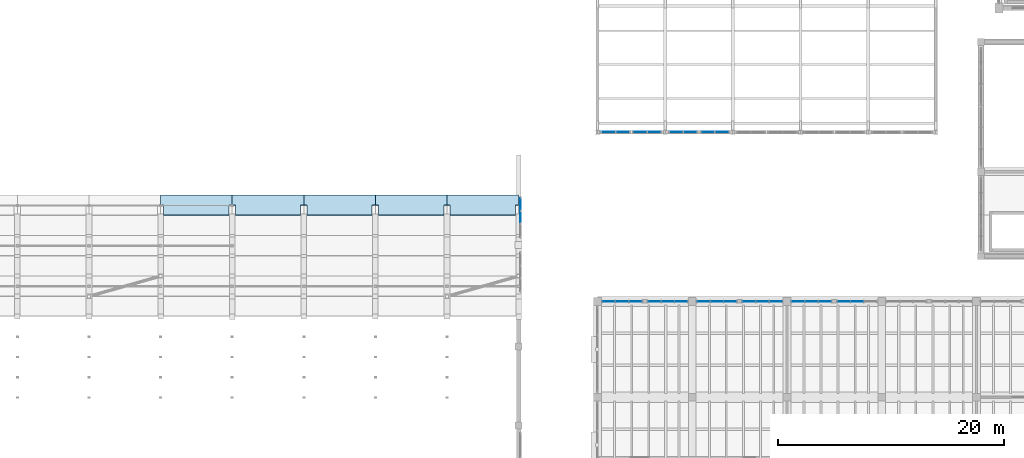
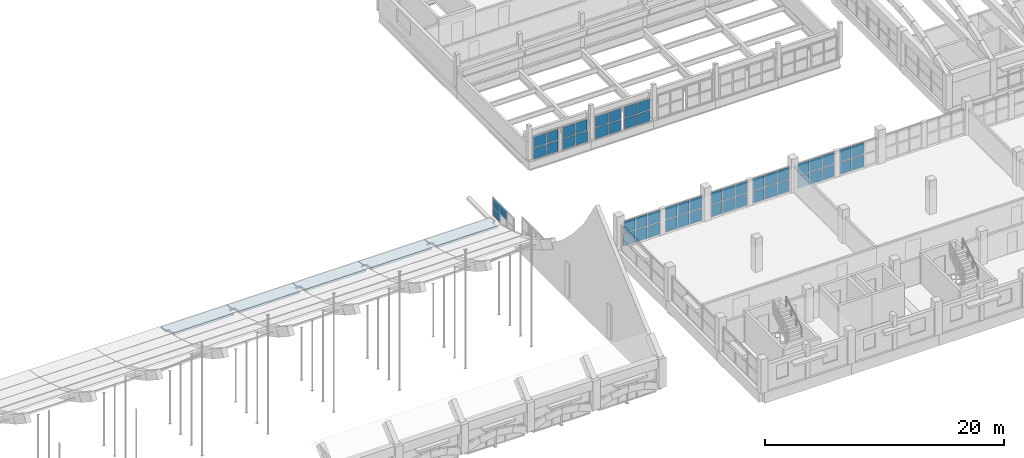
# One storey, part 52 of 77: 53 plates, 5 slabs, 11 elements without a shape of their own.
"""IFC4 building model written with IfcOpenShell, lengths in metres."""

from ifc_helpers import new_model, si_unit, direction, frame, origin, origin_2d, place, context, subcontext, project, spatial, polyline, rectangle, outline, extrude, material, layer, layer_set, type_object, element, aggregate, save


model = new_model("IFC4")

# Units and contexts
model_context = context("Model", 3, precision=1e-05, world=origin(), true_north=direction((0.0, 1.0)))
body_context = subcontext(model_context, "Body", "Model", "MODEL_VIEW")
ifc_project = project(units=[si_unit("LENGTHUNIT", "METRE"), si_unit("AREAUNIT", "SQUARE_METRE"), si_unit("VOLUMEUNIT", "CUBIC_METRE"), si_unit("PLANEANGLEUNIT", "RADIAN"), si_unit("MASSUNIT", "GRAM", prefix="KILO")], contexts=[model_context])

# Site, building, storey
site_placement = place(None, origin())
site = spatial("IfcSite", under=ifc_project, at=site_placement, CompositionType="ELEMENT")
building_placement = place(site_placement, origin())
building = spatial("IfcBuilding", under=site, at=building_placement, Name="Trellovar Central Fire Station", CompositionType="ELEMENT")
storey_placement = place(building_placement, frame((0.0, 0.0, 5.85009765625)))
storey = spatial("IfcBuildingStorey", under=building, at=storey_placement, Name="L02", CompositionType="ELEMENT", Elevation=5.85009765625)

# Curtain wall, plate
ifc_material_1 = material(Name="Thermally broken bronze anodized aluminum", Category="aluminium")
ifc_layer_1 = layer(ifc_material_1, 0.159912109375)
ifc_layer_set_1 = layer_set([ifc_layer_1], Name="Thermally broken bronze anodized aluminum")
curtain_wall_type_1 = type_object("IfcCurtainWallType", Name="CW-09", PredefinedType="NOTDEFINED", material=ifc_layer_set_1)
curtain_wall_1_placement = place(storey_placement, origin())
curtain_wall_1 = element("IfcCurtainWall", 1, at=curtain_wall_1_placement, inside=storey, type_object=curtain_wall_type_1, Name="L02 curtain wall CW-9", PredefinedType="NOTDEFINED")
ifc_material_2 = material(Name="Double low-E solar control insulated glazing", Category="glass")
ifc_layer_2 = layer(ifc_material_2, 0.031982421875)
ifc_layer_set_2 = layer_set([ifc_layer_2], Name="Double low-E solar control insulated glazing")
plate_type_1 = type_object("IfcPlateType", Name="CWP-GL1", PredefinedType="CURTAIN_PANEL", material=ifc_layer_set_2)
plate_1_placement = place(storey_placement, frame((112.908203125, 33.0, 1.31494140625), z_axis=(0.0, 0.0, 1.0), x_axis=(-1.0, 0.0, 0.0)))
plate_1 = element("IfcPlate", 2, at=plate_1_placement, type_object=plate_type_1, Name="CW3-L02-0059 panel 1-2", PredefinedType="CURTAIN_PANEL", context=body_context, shape_type="SweptSolid", body=[
    extrude(rectangle(XDim=1.103271484375, YDim=0.031982421875, at=origin_2d()), origin(), (0.0, 0.0, 1.0), 1.195068359375),
])

curtain_wall_2_placement = place(storey_placement, origin())
curtain_wall_2 = element("IfcCurtainWall", 3, at=curtain_wall_2_placement, inside=storey, type_object=curtain_wall_type_1, Name="L02 curtain wall CW-9", PredefinedType="NOTDEFINED")
plate_2_placement = place(storey_placement, frame((118.941650390625, 33.0, 1.31494140625), z_axis=(0.0, 0.0, 1.0), x_axis=(-1.0, 0.0, 0.0)))
plate_2 = element("IfcPlate", 4, at=plate_2_placement, type_object=plate_type_1, Name="CW3-L02-0061 panel 3-2", PredefinedType="CURTAIN_PANEL", context=body_context, shape_type="SweptSolid", body=[
    extrude(rectangle(XDim=1.103271484375, YDim=0.031982421875, at=origin_2d()), origin(), (0.0, 0.0, 1.0), 1.195068359375),
])

ifc_material_3 = material(Name="Thermally broken bronze anodized aluminum", Category="aluminium")
ifc_layer_3 = layer(ifc_material_3, 0.159912109375)
ifc_layer_set_3 = layer_set([ifc_layer_3], Name="Thermally broken bronze anodized aluminum")
curtain_wall_type_2 = type_object("IfcCurtainWallType", Name="CW-10", PredefinedType="NOTDEFINED", material=ifc_layer_set_3)
curtain_wall_3_placement = place(storey_placement, origin())
curtain_wall_3 = element("IfcCurtainWall", 5, at=curtain_wall_3_placement, inside=storey, type_object=curtain_wall_type_2, Name="L02 curtain wall CW-10", PredefinedType="NOTDEFINED")
plate_3_placement = place(storey_placement, frame((116.074951171875, 33.0, 1.31494140625), z_axis=(0.0, 0.0, 1.0), x_axis=(-1.0, 0.0, 0.0)))
plate_3 = element("IfcPlate", 6, at=plate_3_placement, type_object=plate_type_1, Name="CW3-L02-0062 panel 2-2", PredefinedType="CURTAIN_PANEL", context=body_context, shape_type="SweptSolid", body=[
    extrude(rectangle(XDim=1.103515625, YDim=0.031982421875, at=origin_2d()), origin(), (0.0, 0.0, 1.0), 1.195068359375),
])

# Plate
ifc_material_4 = material(Name="Double low-E solar control insulated glazing", Category="glass")
ifc_layer_4 = layer(ifc_material_4, 0.035888671875)
ifc_layer_set_4 = layer_set([ifc_layer_4], Name="Double low-E solar control insulated glazing")
plate_type_2 = type_object("IfcPlateType", Name="CWP-GL2", PredefinedType="CURTAIN_PANEL", material=ifc_layer_set_4)
plate_4_placement = place(storey_placement, frame((111.72509765625, 33.0, 1.31494140625), z_axis=(0.0, 0.0, 1.0), x_axis=(-1.0, 0.0, 0.0)))
plate_4 = element("IfcPlate", 7, at=plate_4_placement, type_object=plate_type_2, Name="CW3-L02-0059 panel 2-2", PredefinedType="CURTAIN_PANEL", context=body_context, shape_type="SweptSolid", body=[
    extrude(rectangle(XDim=1.103515625, YDim=0.035888671875, at=origin_2d()), origin(), (0.0, 0.0, 1.0), 1.195068359375),
])

# Curtain wall, plate
curtain_wall_4_placement = place(storey_placement, origin())
curtain_wall_4 = element("IfcCurtainWall", 8, at=curtain_wall_4_placement, inside=storey, type_object=curtain_wall_type_2, Name="L02 curtain wall CW-10", PredefinedType="NOTDEFINED")
plate_5_placement = place(storey_placement, frame((108.8583984375, 33.0, 1.31494140625), z_axis=(0.0, 0.0, 1.0), x_axis=(-1.0, 0.0, 0.0)))
plate_5 = element("IfcPlate", 9, at=plate_5_placement, type_object=plate_type_2, Name="CW3-L02-0060 panel 1-2", PredefinedType="CURTAIN_PANEL", context=body_context, shape_type="SweptSolid", body=[
    extrude(rectangle(XDim=1.103271484375, YDim=0.035888671875, at=origin_2d()), origin(), (0.0, 0.0, 1.0), 1.195068359375),
])

# Plate
plate_6_placement = place(storey_placement, frame((114.8916015625, 33.0, 1.31494140625), z_axis=(0.0, 0.0, 1.0), x_axis=(-1.0, 0.0, 0.0)))
plate_6 = element("IfcPlate", 10, at=plate_6_placement, type_object=plate_type_2, Name="CW3-L02-0062 panel 3-2", PredefinedType="CURTAIN_PANEL", context=body_context, shape_type="SweptSolid", body=[
    extrude(rectangle(XDim=1.103271484375, YDim=0.035888671875, at=origin_2d()), origin(), (0.0, 0.0, 1.0), 1.195068359375),
])

# Curtain wall, plate
curtain_wall_5_placement = place(storey_placement, origin())
curtain_wall_5 = element("IfcCurtainWall", 11, at=curtain_wall_5_placement, inside=storey, type_object=curtain_wall_type_1, Name="L02 curtain wall CW-9", PredefinedType="NOTDEFINED")
plate_7_placement = place(storey_placement, frame((128.52490234375, 33.0, 1.31494140625), z_axis=(0.0, 0.0, 1.0), x_axis=(-1.0, 0.0, 0.0)))
plate_7 = element("IfcPlate", 12, at=plate_7_placement, type_object=plate_type_2, Name="CW3-L02-0063 panel 2-2", PredefinedType="CURTAIN_PANEL", context=body_context, shape_type="SweptSolid", body=[
    extrude(rectangle(XDim=1.103515625, YDim=0.035888671875, at=origin_2d()), origin(), (0.0, 0.0, 1.0), 1.195068359375),
])

curtain_wall_6_placement = place(storey_placement, origin())
curtain_wall_6 = element("IfcCurtainWall", 13, at=curtain_wall_6_placement, inside=storey, type_object=curtain_wall_type_2, Name="L02 curtain wall CW-10", PredefinedType="NOTDEFINED")
plate_8_placement = place(storey_placement, frame((125.658203125, 33.0, 1.31494140625), z_axis=(0.0, 0.0, 1.0), x_axis=(-1.0, 0.0, 0.0)))
plate_8 = element("IfcPlate", 14, at=plate_8_placement, type_object=plate_type_2, Name="CW3-L02-0064 panel 1-2", PredefinedType="CURTAIN_PANEL", context=body_context, shape_type="SweptSolid", body=[
    extrude(rectangle(XDim=1.103271484375, YDim=0.035888671875, at=origin_2d()), origin(), (0.0, 0.0, 1.0), 1.195068359375),
])

ifc_material_5 = material(Name="Thermally broken bronze anodized aluminum", Category="aluminium")
ifc_layer_5 = layer(ifc_material_5, 0.159912109375)
ifc_layer_set_5 = layer_set([ifc_layer_5], Name="Thermally broken bronze anodized aluminum")
curtain_wall_type_3 = type_object("IfcCurtainWallType", Name="CW-08", PredefinedType="NOTDEFINED", material=ifc_layer_set_5)
curtain_wall_7_placement = place(storey_placement, origin())
curtain_wall_7 = element("IfcCurtainWall", 15, at=curtain_wall_7_placement, inside=storey, type_object=curtain_wall_type_3, Name="V6 workshop upper clerestory 1A", PredefinedType="NOTDEFINED")
plate_9_placement = place(storey_placement, frame((106.47509765625, 48.0, 0.96484375), z_axis=(0.0, 0.0, 1.0), x_axis=(1.0, 0.0, 0.0)))
plate_9 = element("IfcPlate", 16, at=plate_9_placement, type_object=plate_type_2, Name="CW3-L02-0104 panel 1-2", PredefinedType="CURTAIN_PANEL", context=body_context, shape_type="SweptSolid", body=[
    extrude(rectangle(XDim=1.169921875, YDim=0.035888671875, at=origin_2d()), origin(), (0.0, 0.0, 1.0), 1.094970703125),
])

curtain_wall_8_placement = place(storey_placement, origin())
curtain_wall_8 = element("IfcCurtainWall", 17, at=curtain_wall_8_placement, inside=storey, type_object=curtain_wall_type_3, Name="V6 workshop upper clerestory 2A", PredefinedType="NOTDEFINED")
plate_10_placement = place(storey_placement, frame((112.47509765625, 48.0, 0.96484375), z_axis=(0.0, 0.0, 1.0), x_axis=(1.0, 0.0, 0.0)))
plate_10 = element("IfcPlate", 18, at=plate_10_placement, type_object=plate_type_2, Name="CW3-L02-0112 panel 1-2", PredefinedType="CURTAIN_PANEL", context=body_context, shape_type="SweptSolid", body=[
    extrude(rectangle(XDim=1.169921875, YDim=0.035888671875, at=origin_2d()), origin(), (0.0, 0.0, 1.0), 1.094970703125),
])

# Curtain wall, plates
ifc_material_6 = material(Name="Thermally broken bronze anodized aluminum", Category="aluminium")
ifc_layer_6 = layer(ifc_material_6, 0.159912109375)
ifc_layer_set_6 = layer_set([ifc_layer_6], Name="Thermally broken bronze anodized aluminum")
curtain_wall_type_4 = type_object("IfcCurtainWallType", Name="CW-07", PredefinedType="NOTDEFINED", material=ifc_layer_set_6)
curtain_wall_9_placement = place(storey_placement, origin())
curtain_wall_9 = element("IfcCurtainWall", 19, at=curtain_wall_9_placement, inside=storey, type_object=curtain_wall_type_4, Name="V1 E ski-jump gable clerestory 5", PredefinedType="NOTDEFINED")
ifc_material_7 = material(Name="Double low-E solar control insulated glazing", Category="glass")
ifc_layer_7 = layer(ifc_material_7, 0.033935546875)
ifc_layer_set_7 = layer_set([ifc_layer_7], Name="Double low-E solar control insulated glazing")
plate_type_3 = type_object("IfcPlateType", Name="CWP-GL3", PredefinedType="CURTAIN_PANEL", material=ifc_layer_set_7)
plate_11_placement = place(storey_placement, frame((98.679931640625, 40.449951171875, 1.06494140625), z_axis=(0.0, 0.0, 1.0), x_axis=(0.0, 1.0, 0.0)))
plate_11 = element("IfcPlate", 20, at=plate_11_placement, type_object=plate_type_3, Name="CW3-L02-0020 panel 2-2", PredefinedType="CURTAIN_PANEL", context=body_context, shape_type="SweptSolid", body=[
    extrude(rectangle(XDim=1.086669921875, YDim=0.033935546875, at=origin_2d()), origin(), (0.0, 0.0, 1.0), 0.844970703125),
])
plate_12_placement = place(storey_placement, frame((98.679931640625, 41.61669921875, 0.14013671875), z_axis=(0.0, 0.0, 1.0), x_axis=(0.0, 1.0, 0.0)))
plate_12 = element("IfcPlate", 21, at=plate_12_placement, type_object=plate_type_3, Name="CW3-L02-0020 panel 3-1", PredefinedType="CURTAIN_PANEL", context=body_context, shape_type="SweptSolid", body=[
    extrude(rectangle(XDim=1.086669921875, YDim=0.033935546875, at=origin_2d()), origin(), (0.0, 0.0, 1.0), 0.844970703125),
])

# Plate
plate_13_placement = place(storey_placement, frame((110.541748046875, 33.0, 1.31494140625), z_axis=(0.0, 0.0, 1.0), x_axis=(-1.0, 0.0, 0.0)))
plate_13 = element("IfcPlate", 22, at=plate_13_placement, type_object=plate_type_3, Name="CW3-L02-0059 panel 3-2", PredefinedType="CURTAIN_PANEL", context=body_context, shape_type="SweptSolid", body=[
    extrude(rectangle(XDim=1.103271484375, YDim=0.033935546875, at=origin_2d()), origin(), (0.0, 0.0, 1.0), 1.195068359375),
])

plate_14_placement = place(storey_placement, frame((107.675048828125, 33.0, 1.31494140625), z_axis=(0.0, 0.0, 1.0), x_axis=(-1.0, 0.0, 0.0)))
plate_14 = element("IfcPlate", 23, at=plate_14_placement, type_object=plate_type_3, Name="CW3-L02-0060 panel 2-2", PredefinedType="CURTAIN_PANEL", context=body_context, shape_type="SweptSolid", body=[
    extrude(rectangle(XDim=1.103515625, YDim=0.033935546875, at=origin_2d()), origin(), (0.0, 0.0, 1.0), 1.195068359375),
])

plate_15_placement = place(storey_placement, frame((121.308349609375, 33.0, 1.31494140625), z_axis=(0.0, 0.0, 1.0), x_axis=(-1.0, 0.0, 0.0)))
plate_15 = element("IfcPlate", 24, at=plate_15_placement, type_object=plate_type_3, Name="CW3-L02-0061 panel 1-2", PredefinedType="CURTAIN_PANEL", context=body_context, shape_type="SweptSolid", body=[
    extrude(rectangle(XDim=1.103271484375, YDim=0.033935546875, at=origin_2d()), origin(), (0.0, 0.0, 1.0), 1.195068359375),
])

plate_16_placement = place(storey_placement, frame((127.341552734375, 33.0, 1.31494140625), z_axis=(0.0, 0.0, 1.0), x_axis=(-1.0, 0.0, 0.0)))
plate_16 = element("IfcPlate", 25, at=plate_16_placement, type_object=plate_type_3, Name="CW3-L02-0063 panel 3-2", PredefinedType="CURTAIN_PANEL", context=body_context, shape_type="SweptSolid", body=[
    extrude(rectangle(XDim=1.103271484375, YDim=0.033935546875, at=origin_2d()), origin(), (0.0, 0.0, 1.0), 1.195068359375),
])

plate_17_placement = place(storey_placement, frame((124.47509765625, 33.0, 1.31494140625), z_axis=(0.0, 0.0, 1.0), x_axis=(-1.0, 0.0, 0.0)))
plate_17 = element("IfcPlate", 26, at=plate_17_placement, type_object=plate_type_3, Name="CW3-L02-0064 panel 2-2", PredefinedType="CURTAIN_PANEL", context=body_context, shape_type="SweptSolid", body=[
    extrude(rectangle(XDim=1.103515625, YDim=0.033935546875, at=origin_2d()), origin(), (0.0, 0.0, 1.0), 1.195068359375),
])

plate_18_placement = place(storey_placement, frame((107.72509765625, 48.0, 0.96484375), z_axis=(0.0, 0.0, 1.0), x_axis=(1.0, 0.0, 0.0)))
plate_18 = element("IfcPlate", 27, at=plate_18_placement, type_object=plate_type_3, Name="CW3-L02-0104 panel 2-2", PredefinedType="CURTAIN_PANEL", context=body_context, shape_type="SweptSolid", body=[
    extrude(rectangle(XDim=1.169921875, YDim=0.033935546875, at=origin_2d()), origin(), (0.0, 0.0, 1.0), 1.094970703125),
])

# Curtain wall, plate
curtain_wall_10_placement = place(storey_placement, origin())
curtain_wall_10 = element("IfcCurtainWall", 28, at=curtain_wall_10_placement, inside=storey, type_object=curtain_wall_type_3, Name="V6 workshop upper clerestory 1B", PredefinedType="NOTDEFINED")
plate_19_placement = place(storey_placement, frame((109.27490234375, 48.0, 0.96484375), z_axis=(0.0, 0.0, 1.0), x_axis=(1.0, 0.0, 0.0)))
plate_19 = element("IfcPlate", 29, at=plate_19_placement, type_object=plate_type_3, Name="CW3-L02-0105 panel 1-2", PredefinedType="CURTAIN_PANEL", context=body_context, shape_type="SweptSolid", body=[
    extrude(rectangle(XDim=1.169921875, YDim=0.033935546875, at=origin_2d()), origin(), (0.0, 0.0, 1.0), 1.094970703125),
])

# Plate
plate_20_placement = place(storey_placement, frame((113.72509765625, 48.0, 0.96484375), z_axis=(0.0, 0.0, 1.0), x_axis=(1.0, 0.0, 0.0)))
plate_20 = element("IfcPlate", 30, at=plate_20_placement, type_object=plate_type_3, Name="CW3-L02-0112 panel 2-2", PredefinedType="CURTAIN_PANEL", context=body_context, shape_type="SweptSolid", body=[
    extrude(rectangle(XDim=1.169921875, YDim=0.033935546875, at=origin_2d()), origin(), (0.0, 0.0, 1.0), 1.094970703125),
])

# Curtain wall, plate
curtain_wall_11_placement = place(storey_placement, origin())
curtain_wall_11 = element("IfcCurtainWall", 31, at=curtain_wall_11_placement, inside=storey, type_object=curtain_wall_type_3, Name="V6 workshop upper clerestory 2B", PredefinedType="NOTDEFINED")
plate_21_placement = place(storey_placement, frame((115.27490234375, 48.0, 0.96484375), z_axis=(0.0, 0.0, 1.0), x_axis=(1.0, 0.0, 0.0)))
plate_21 = element("IfcPlate", 32, at=plate_21_placement, type_object=plate_type_3, Name="CW3-L02-0113 panel 1-2", PredefinedType="CURTAIN_PANEL", context=body_context, shape_type="SweptSolid", body=[
    extrude(rectangle(XDim=1.169921875, YDim=0.033935546875, at=origin_2d()), origin(), (0.0, 0.0, 1.0), 1.094970703125),
])

# Plate
ifc_material_8 = material(Name="Double low-E solar control insulated glazing", Category="glass")
ifc_layer_8 = layer(ifc_material_8, 0.030029296875)
ifc_layer_set_8 = layer_set([ifc_layer_8], Name="Double low-E solar control insulated glazing")
plate_type_4 = type_object("IfcPlateType", Name="CWP-GL4", PredefinedType="CURTAIN_PANEL", material=ifc_layer_set_8)
plate_22_placement = place(storey_placement, frame((98.679931640625, 41.61669921875, 1.06494140625), z_axis=(0.0, 0.0, 1.0), x_axis=(0.0, 1.0, 0.0)))
plate_22 = element("IfcPlate", 33, at=plate_22_placement, type_object=plate_type_4, Name="CW3-L02-0020 panel 3-2", PredefinedType="CURTAIN_PANEL", context=body_context, shape_type="SweptSolid", body=[
    extrude(rectangle(XDim=1.086669921875, YDim=0.030029296875, at=origin_2d()), origin(), (0.0, 0.0, 1.0), 0.844970703125),
])

aggregate(curtain_wall_9, [plate_11, plate_12, plate_22])

plate_23_placement = place(storey_placement, frame((106.49169921875, 33.0, 1.31494140625), z_axis=(0.0, 0.0, 1.0), x_axis=(-1.0, 0.0, 0.0)))
plate_23 = element("IfcPlate", 34, at=plate_23_placement, type_object=plate_type_4, Name="CW3-L02-0060 panel 3-2", PredefinedType="CURTAIN_PANEL", context=body_context, shape_type="SweptSolid", body=[
    extrude(rectangle(XDim=1.103271484375, YDim=0.030029296875, at=origin_2d()), origin(), (0.0, 0.0, 1.0), 1.195068359375),
])

plate_24_placement = place(storey_placement, frame((120.125, 33.0, 1.31494140625), z_axis=(0.0, 0.0, 1.0), x_axis=(-1.0, 0.0, 0.0)))
plate_24 = element("IfcPlate", 35, at=plate_24_placement, type_object=plate_type_4, Name="CW3-L02-0061 panel 2-2", PredefinedType="CURTAIN_PANEL", context=body_context, shape_type="SweptSolid", body=[
    extrude(rectangle(XDim=1.103515625, YDim=0.030029296875, at=origin_2d()), origin(), (0.0, 0.0, 1.0), 1.195068359375),
])

plate_25_placement = place(storey_placement, frame((117.25830078125, 33.0, 1.31494140625), z_axis=(0.0, 0.0, 1.0), x_axis=(-1.0, 0.0, 0.0)))
plate_25 = element("IfcPlate", 36, at=plate_25_placement, type_object=plate_type_4, Name="CW3-L02-0062 panel 1-2", PredefinedType="CURTAIN_PANEL", context=body_context, shape_type="SweptSolid", body=[
    extrude(rectangle(XDim=1.103271484375, YDim=0.030029296875, at=origin_2d()), origin(), (0.0, 0.0, 1.0), 1.195068359375),
])

plate_26_placement = place(storey_placement, frame((123.291748046875, 33.0, 1.31494140625), z_axis=(0.0, 0.0, 1.0), x_axis=(-1.0, 0.0, 0.0)))
plate_26 = element("IfcPlate", 37, at=plate_26_placement, type_object=plate_type_4, Name="CW3-L02-0064 panel 3-2", PredefinedType="CURTAIN_PANEL", context=body_context, shape_type="SweptSolid", body=[
    extrude(rectangle(XDim=1.103271484375, YDim=0.030029296875, at=origin_2d()), origin(), (0.0, 0.0, 1.0), 1.195068359375),
])

plate_27_placement = place(storey_placement, frame((110.52490234375, 48.0, 0.96484375), z_axis=(0.0, 0.0, 1.0), x_axis=(1.0, 0.0, 0.0)))
plate_27 = element("IfcPlate", 38, at=plate_27_placement, type_object=plate_type_4, Name="CW3-L02-0105 panel 2-2", PredefinedType="CURTAIN_PANEL", context=body_context, shape_type="SweptSolid", body=[
    extrude(rectangle(XDim=1.169921875, YDim=0.030029296875, at=origin_2d()), origin(), (0.0, 0.0, 1.0), 1.094970703125),
])

plate_28_placement = place(storey_placement, frame((116.52490234375, 48.0, 0.96484375), z_axis=(0.0, 0.0, 1.0), x_axis=(1.0, 0.0, 0.0)))
plate_28 = element("IfcPlate", 39, at=plate_28_placement, type_object=plate_type_4, Name="CW3-L02-0113 panel 2-2", PredefinedType="CURTAIN_PANEL", context=body_context, shape_type="SweptSolid", body=[
    extrude(rectangle(XDim=1.169921875, YDim=0.030029296875, at=origin_2d()), origin(), (0.0, 0.0, 1.0), 1.094970703125),
])

ifc_material_9 = material(Name="Glazed ceramic trencadis and terracotta panel", Category="masonry")
ifc_layer_9 = layer(ifc_material_9, 0.048095703125)
ifc_layer_set_9 = layer_set([ifc_layer_9], Name="Glazed ceramic trencadis and terracotta panel")
plate_type_5 = type_object("IfcPlateType", Name="CWP-SP1", PredefinedType="CURTAIN_PANEL", material=ifc_layer_set_9)
plate_29_placement = place(storey_placement, frame((111.72509765625, 33.0, 0.0400390625), z_axis=(0.0, 0.0, 1.0), x_axis=(-1.0, 0.0, 0.0)))
plate_29 = element("IfcPlate", 40, at=plate_29_placement, type_object=plate_type_5, Name="CW3-L02-0059 panel 2-1", PredefinedType="CURTAIN_PANEL", context=body_context, shape_type="SweptSolid", body=[
    extrude(rectangle(XDim=1.103515625, YDim=0.048095703125, at=origin_2d()), origin(), (0.0, 0.0, 1.0), 1.195068359375),
])

plate_30_placement = place(storey_placement, frame((108.8583984375, 33.0, 0.0400390625), z_axis=(0.0, 0.0, 1.0), x_axis=(-1.0, 0.0, 0.0)))
plate_30 = element("IfcPlate", 41, at=plate_30_placement, type_object=plate_type_5, Name="CW3-L02-0060 panel 1-1", PredefinedType="CURTAIN_PANEL", context=body_context, shape_type="SweptSolid", body=[
    extrude(rectangle(XDim=1.103271484375, YDim=0.048095703125, at=origin_2d()), origin(), (0.0, 0.0, 1.0), 1.195068359375),
])

plate_31_placement = place(storey_placement, frame((106.49169921875, 33.0, 0.0400390625), z_axis=(0.0, 0.0, 1.0), x_axis=(-1.0, 0.0, 0.0)))
plate_31 = element("IfcPlate", 42, at=plate_31_placement, type_object=plate_type_5, Name="CW3-L02-0060 panel 3-1", PredefinedType="CURTAIN_PANEL", context=body_context, shape_type="SweptSolid", body=[
    extrude(rectangle(XDim=1.103271484375, YDim=0.048095703125, at=origin_2d()), origin(), (0.0, 0.0, 1.0), 1.195068359375),
])

plate_32_placement = place(storey_placement, frame((120.125, 33.0, 0.0400390625), z_axis=(0.0, 0.0, 1.0), x_axis=(-1.0, 0.0, 0.0)))
plate_32 = element("IfcPlate", 43, at=plate_32_placement, type_object=plate_type_5, Name="CW3-L02-0061 panel 2-1", PredefinedType="CURTAIN_PANEL", context=body_context, shape_type="SweptSolid", body=[
    extrude(rectangle(XDim=1.103515625, YDim=0.048095703125, at=origin_2d()), origin(), (0.0, 0.0, 1.0), 1.195068359375),
])

plate_33_placement = place(storey_placement, frame((117.25830078125, 33.0, 0.0400390625), z_axis=(0.0, 0.0, 1.0), x_axis=(-1.0, 0.0, 0.0)))
plate_33 = element("IfcPlate", 44, at=plate_33_placement, type_object=plate_type_5, Name="CW3-L02-0062 panel 1-1", PredefinedType="CURTAIN_PANEL", context=body_context, shape_type="SweptSolid", body=[
    extrude(rectangle(XDim=1.103271484375, YDim=0.048095703125, at=origin_2d()), origin(), (0.0, 0.0, 1.0), 1.195068359375),
])

plate_34_placement = place(storey_placement, frame((114.8916015625, 33.0, 0.0400390625), z_axis=(0.0, 0.0, 1.0), x_axis=(-1.0, 0.0, 0.0)))
plate_34 = element("IfcPlate", 45, at=plate_34_placement, type_object=plate_type_5, Name="CW3-L02-0062 panel 3-1", PredefinedType="CURTAIN_PANEL", context=body_context, shape_type="SweptSolid", body=[
    extrude(rectangle(XDim=1.103271484375, YDim=0.048095703125, at=origin_2d()), origin(), (0.0, 0.0, 1.0), 1.195068359375),
])

plate_35_placement = place(storey_placement, frame((128.52490234375, 33.0, 0.0400390625), z_axis=(0.0, 0.0, 1.0), x_axis=(-1.0, 0.0, 0.0)))
plate_35 = element("IfcPlate", 46, at=plate_35_placement, type_object=plate_type_5, Name="CW3-L02-0063 panel 2-1", PredefinedType="CURTAIN_PANEL", context=body_context, shape_type="SweptSolid", body=[
    extrude(rectangle(XDim=1.103515625, YDim=0.048095703125, at=origin_2d()), origin(), (0.0, 0.0, 1.0), 1.195068359375),
])

plate_36_placement = place(storey_placement, frame((125.658203125, 33.0, 0.0400390625), z_axis=(0.0, 0.0, 1.0), x_axis=(-1.0, 0.0, 0.0)))
plate_36 = element("IfcPlate", 47, at=plate_36_placement, type_object=plate_type_5, Name="CW3-L02-0064 panel 1-1", PredefinedType="CURTAIN_PANEL", context=body_context, shape_type="SweptSolid", body=[
    extrude(rectangle(XDim=1.103271484375, YDim=0.048095703125, at=origin_2d()), origin(), (0.0, 0.0, 1.0), 1.195068359375),
])

plate_37_placement = place(storey_placement, frame((123.291748046875, 33.0, 0.0400390625), z_axis=(0.0, 0.0, 1.0), x_axis=(-1.0, 0.0, 0.0)))
plate_37 = element("IfcPlate", 48, at=plate_37_placement, type_object=plate_type_5, Name="CW3-L02-0064 panel 3-1", PredefinedType="CURTAIN_PANEL", context=body_context, shape_type="SweptSolid", body=[
    extrude(rectangle(XDim=1.103271484375, YDim=0.048095703125, at=origin_2d()), origin(), (0.0, 0.0, 1.0), 1.195068359375),
])

plate_38_placement = place(storey_placement, frame((106.47509765625, 48.0, -0.2099609375), z_axis=(0.0, 0.0, 1.0), x_axis=(1.0, 0.0, 0.0)))
plate_38 = element("IfcPlate", 49, at=plate_38_placement, type_object=plate_type_5, Name="CW3-L02-0104 panel 1-1", PredefinedType="CURTAIN_PANEL", context=body_context, shape_type="SweptSolid", body=[
    extrude(rectangle(XDim=1.169921875, YDim=0.048095703125, at=origin_2d()), origin(), (0.0, 0.0, 1.0), 1.094970703125),
])

plate_39_placement = place(storey_placement, frame((110.52490234375, 48.0, -0.2099609375), z_axis=(0.0, 0.0, 1.0), x_axis=(1.0, 0.0, 0.0)))
plate_39 = element("IfcPlate", 50, at=plate_39_placement, type_object=plate_type_5, Name="CW3-L02-0105 panel 2-1", PredefinedType="CURTAIN_PANEL", context=body_context, shape_type="SweptSolid", body=[
    extrude(rectangle(XDim=1.169921875, YDim=0.048095703125, at=origin_2d()), origin(), (0.0, 0.0, 1.0), 1.094970703125),
])

plate_40_placement = place(storey_placement, frame((112.47509765625, 48.0, -0.2099609375), z_axis=(0.0, 0.0, 1.0), x_axis=(1.0, 0.0, 0.0)))
plate_40 = element("IfcPlate", 51, at=plate_40_placement, type_object=plate_type_5, Name="CW3-L02-0112 panel 1-1", PredefinedType="CURTAIN_PANEL", context=body_context, shape_type="SweptSolid", body=[
    extrude(rectangle(XDim=1.169921875, YDim=0.048095703125, at=origin_2d()), origin(), (0.0, 0.0, 1.0), 1.094970703125),
])

plate_41_placement = place(storey_placement, frame((116.52490234375, 48.0, -0.2099609375), z_axis=(0.0, 0.0, 1.0), x_axis=(1.0, 0.0, 0.0)))
plate_41 = element("IfcPlate", 52, at=plate_41_placement, type_object=plate_type_5, Name="CW3-L02-0113 panel 2-1", PredefinedType="CURTAIN_PANEL", context=body_context, shape_type="SweptSolid", body=[
    extrude(rectangle(XDim=1.169921875, YDim=0.048095703125, at=origin_2d()), origin(), (0.0, 0.0, 1.0), 1.094970703125),
])

ifc_material_10 = material(Name="Glazed ceramic trencadis and terracotta panel", Category="masonry")
ifc_layer_10 = layer(ifc_material_10, 0.044921875)
ifc_layer_set_10 = layer_set([ifc_layer_10], Name="Glazed ceramic trencadis and terracotta panel")
plate_type_6 = type_object("IfcPlateType", Name="CWP-SP2", PredefinedType="CURTAIN_PANEL", material=ifc_layer_set_10)
plate_42_placement = place(storey_placement, frame((112.908203125, 33.0, 0.0400390625), z_axis=(0.0, 0.0, 1.0), x_axis=(-1.0, 0.0, 0.0)))
plate_42 = element("IfcPlate", 53, at=plate_42_placement, type_object=plate_type_6, Name="CW3-L02-0059 panel 1-1", PredefinedType="CURTAIN_PANEL", context=body_context, shape_type="SweptSolid", body=[
    extrude(rectangle(XDim=1.103271484375, YDim=0.044921875, at=origin_2d()), origin(), (0.0, 0.0, 1.0), 1.195068359375),
])

plate_43_placement = place(storey_placement, frame((110.541748046875, 33.0, 0.0400390625), z_axis=(0.0, 0.0, 1.0), x_axis=(-1.0, 0.0, 0.0)))
plate_43 = element("IfcPlate", 54, at=plate_43_placement, type_object=plate_type_6, Name="CW3-L02-0059 panel 3-1", PredefinedType="CURTAIN_PANEL", context=body_context, shape_type="SweptSolid", body=[
    extrude(rectangle(XDim=1.103271484375, YDim=0.044921875, at=origin_2d()), origin(), (0.0, 0.0, 1.0), 1.195068359375),
])

aggregate(curtain_wall_1, [plate_42, plate_1, plate_29, plate_4, plate_43, plate_13])

plate_44_placement = place(storey_placement, frame((107.675048828125, 33.0, 0.0400390625), z_axis=(0.0, 0.0, 1.0), x_axis=(-1.0, 0.0, 0.0)))
plate_44 = element("IfcPlate", 55, at=plate_44_placement, type_object=plate_type_6, Name="CW3-L02-0060 panel 2-1", PredefinedType="CURTAIN_PANEL", context=body_context, shape_type="SweptSolid", body=[
    extrude(rectangle(XDim=1.103515625, YDim=0.044921875, at=origin_2d()), origin(), (0.0, 0.0, 1.0), 1.195068359375),
])

aggregate(curtain_wall_4, [plate_30, plate_5, plate_44, plate_14, plate_31, plate_23])

plate_45_placement = place(storey_placement, frame((121.308349609375, 33.0, 0.0400390625), z_axis=(0.0, 0.0, 1.0), x_axis=(-1.0, 0.0, 0.0)))
plate_45 = element("IfcPlate", 56, at=plate_45_placement, type_object=plate_type_6, Name="CW3-L02-0061 panel 1-1", PredefinedType="CURTAIN_PANEL", context=body_context, shape_type="SweptSolid", body=[
    extrude(rectangle(XDim=1.103271484375, YDim=0.044921875, at=origin_2d()), origin(), (0.0, 0.0, 1.0), 1.195068359375),
])

plate_46_placement = place(storey_placement, frame((118.941650390625, 33.0, 0.0400390625), z_axis=(0.0, 0.0, 1.0), x_axis=(-1.0, 0.0, 0.0)))
plate_46 = element("IfcPlate", 57, at=plate_46_placement, type_object=plate_type_6, Name="CW3-L02-0061 panel 3-1", PredefinedType="CURTAIN_PANEL", context=body_context, shape_type="SweptSolid", body=[
    extrude(rectangle(XDim=1.103271484375, YDim=0.044921875, at=origin_2d()), origin(), (0.0, 0.0, 1.0), 1.195068359375),
])

aggregate(curtain_wall_2, [plate_45, plate_15, plate_32, plate_24, plate_46, plate_2])

plate_47_placement = place(storey_placement, frame((116.074951171875, 33.0, 0.0400390625), z_axis=(0.0, 0.0, 1.0), x_axis=(-1.0, 0.0, 0.0)))
plate_47 = element("IfcPlate", 58, at=plate_47_placement, type_object=plate_type_6, Name="CW3-L02-0062 panel 2-1", PredefinedType="CURTAIN_PANEL", context=body_context, shape_type="SweptSolid", body=[
    extrude(rectangle(XDim=1.103515625, YDim=0.044921875, at=origin_2d()), origin(), (0.0, 0.0, 1.0), 1.195068359375),
])

aggregate(curtain_wall_3, [plate_33, plate_25, plate_47, plate_3, plate_34, plate_6])

plate_48_placement = place(storey_placement, frame((127.341552734375, 33.0, 0.0400390625), z_axis=(0.0, 0.0, 1.0), x_axis=(-1.0, 0.0, 0.0)))
plate_48 = element("IfcPlate", 59, at=plate_48_placement, type_object=plate_type_6, Name="CW3-L02-0063 panel 3-1", PredefinedType="CURTAIN_PANEL", context=body_context, shape_type="SweptSolid", body=[
    extrude(rectangle(XDim=1.103271484375, YDim=0.044921875, at=origin_2d()), origin(), (0.0, 0.0, 1.0), 1.195068359375),
])

aggregate(curtain_wall_5, [plate_35, plate_7, plate_48, plate_16])

plate_49_placement = place(storey_placement, frame((124.47509765625, 33.0, 0.0400390625), z_axis=(0.0, 0.0, 1.0), x_axis=(-1.0, 0.0, 0.0)))
plate_49 = element("IfcPlate", 60, at=plate_49_placement, type_object=plate_type_6, Name="CW3-L02-0064 panel 2-1", PredefinedType="CURTAIN_PANEL", context=body_context, shape_type="SweptSolid", body=[
    extrude(rectangle(XDim=1.103515625, YDim=0.044921875, at=origin_2d()), origin(), (0.0, 0.0, 1.0), 1.195068359375),
])

aggregate(curtain_wall_6, [plate_36, plate_8, plate_49, plate_17, plate_37, plate_26])

plate_50_placement = place(storey_placement, frame((107.72509765625, 48.0, -0.2099609375), z_axis=(0.0, 0.0, 1.0), x_axis=(1.0, 0.0, 0.0)))
plate_50 = element("IfcPlate", 61, at=plate_50_placement, type_object=plate_type_6, Name="CW3-L02-0104 panel 2-1", PredefinedType="CURTAIN_PANEL", context=body_context, shape_type="SweptSolid", body=[
    extrude(rectangle(XDim=1.169921875, YDim=0.044921875, at=origin_2d()), origin(), (0.0, 0.0, 1.0), 1.094970703125),
])

aggregate(curtain_wall_7, [plate_38, plate_9, plate_50, plate_18])

plate_51_placement = place(storey_placement, frame((109.27490234375, 48.0, -0.2099609375), z_axis=(0.0, 0.0, 1.0), x_axis=(1.0, 0.0, 0.0)))
plate_51 = element("IfcPlate", 62, at=plate_51_placement, type_object=plate_type_6, Name="CW3-L02-0105 panel 1-1", PredefinedType="CURTAIN_PANEL", context=body_context, shape_type="SweptSolid", body=[
    extrude(rectangle(XDim=1.169921875, YDim=0.044921875, at=origin_2d()), origin(), (0.0, 0.0, 1.0), 1.094970703125),
])

aggregate(curtain_wall_10, [plate_51, plate_19, plate_39, plate_27])

plate_52_placement = place(storey_placement, frame((113.72509765625, 48.0, -0.2099609375), z_axis=(0.0, 0.0, 1.0), x_axis=(1.0, 0.0, 0.0)))
plate_52 = element("IfcPlate", 63, at=plate_52_placement, type_object=plate_type_6, Name="CW3-L02-0112 panel 2-1", PredefinedType="CURTAIN_PANEL", context=body_context, shape_type="SweptSolid", body=[
    extrude(rectangle(XDim=1.169921875, YDim=0.044921875, at=origin_2d()), origin(), (0.0, 0.0, 1.0), 1.094970703125),
])

aggregate(curtain_wall_8, [plate_40, plate_10, plate_52, plate_20])

plate_53_placement = place(storey_placement, frame((115.27490234375, 48.0, -0.2099609375), z_axis=(0.0, 0.0, 1.0), x_axis=(1.0, 0.0, 0.0)))
plate_53 = element("IfcPlate", 64, at=plate_53_placement, type_object=plate_type_6, Name="CW3-L02-0113 panel 1-1", PredefinedType="CURTAIN_PANEL", context=body_context, shape_type="SweptSolid", body=[
    extrude(rectangle(XDim=1.169921875, YDim=0.044921875, at=origin_2d()), origin(), (0.0, 0.0, 1.0), 1.094970703125),
])

aggregate(curtain_wall_11, [plate_53, plate_21, plate_41, plate_28])

# Slabs
ifc_material_11 = material(Name="Concrete C40/50", Category="concrete")
ifc_layer_11 = layer(ifc_material_11, 0.179931640625)
ifc_layer_set_11 = layer_set([ifc_layer_11], Name="Concrete C40/50")
slab_type = type_object("IfcSlabType", Name="SLB-VLT180", PredefinedType="ROOF", material=ifc_layer_set_11)
slab_1_placement = place(storey_placement, frame((67.030029296875, 40.655029296875, 0.141357421875), z_axis=(0.0, 0.183116786716, 0.983091166893), x_axis=(1.0, 0.0, 0.0)))
element("IfcSlab", 65, at=slab_1_placement, inside=storey, type_object=slab_type, Name="Catalan ski-jump vault strip V1-06-16", PredefinedType="ROOF", context=body_context, shape_type="SweptSolid", body=[
    extrude(outline(polyline([(0.0, 0.0), (5.7900390625, 0.0), (5.7900390625, 0.8932781187532749), (6.070068359375, 0.8932781187532749), (6.070068359375, 1.7865562375065498), (-0.280029296875, 1.7865562375065498), (-0.280029296875, 0.8932781187532749), (0.0, 0.8932781187532749), (0.0, 0.0)])), origin(), (0.0, 0.0, -1.0), 0.179931640625),
])
slab_2_placement = place(storey_placement, frame((73.3798828125, 40.655029296875, 0.141357421875), z_axis=(0.0, 0.183116786716, 0.983091166893), x_axis=(1.0, 0.0, 0.0)))
element("IfcSlab", 66, at=slab_2_placement, inside=storey, type_object=slab_type, Name="Catalan ski-jump vault strip V1-07-16", PredefinedType="ROOF", context=body_context, shape_type="SweptSolid", body=[
    extrude(outline(polyline([(0.0, 0.0), (5.7900390625, 0.0), (5.7900390625, 0.893278118753275), (6.070068359375, 0.893278118753275), (6.070068359375, 1.78655623750655), (-0.27978515625, 1.78655623750655), (-0.27978515625, 0.893278118753275), (0.0, 0.893278118753275), (0.0, 0.0)])), origin(), (0.0, 0.0, -1.0), 0.179931640625),
])
slab_3_placement = place(storey_placement, frame((79.72998046875, 40.655029296875, 0.141357421875), z_axis=(0.0, 0.183116786716, 0.983091166893), x_axis=(1.0, 0.0, 0.0)))
element("IfcSlab", 67, at=slab_3_placement, inside=storey, type_object=slab_type, Name="Catalan ski-jump vault strip V1-08-16", PredefinedType="ROOF", context=body_context, shape_type="SweptSolid", body=[
    extrude(outline(polyline([(0.0, 0.0), (5.7900390625, 0.0), (5.7900390625, 0.8932781187532749), (6.070068359375, 0.8932781187532749), (6.070068359375, 1.7865562375065498), (-0.280029296875, 1.7865562375065498), (-0.280029296875, 0.8932781187532749), (0.0, 0.8932781187532749), (0.0, 0.0)])), origin(), (0.0, 0.0, -1.0), 0.179931640625),
])
slab_4_placement = place(storey_placement, frame((86.080078125, 40.655029296875, 0.141357421875), z_axis=(0.0, 0.183116786716, 0.983091166893), x_axis=(1.0, 0.0, 0.0)))
element("IfcSlab", 68, at=slab_4_placement, inside=storey, type_object=slab_type, Name="Catalan ski-jump vault strip V1-09-16", PredefinedType="ROOF", context=body_context, shape_type="SweptSolid", body=[
    extrude(outline(polyline([(0.0, 0.0), (5.7900390625, 0.0), (5.7900390625, 0.893278118753275), (6.06982421875, 0.893278118753275), (6.06982421875, 1.78655623750655), (-0.280029296875, 1.78655623750655), (-0.280029296875, 0.893278118753275), (0.0, 0.893278118753275), (0.0, 0.0)])), origin(), (0.0, 0.0, -1.0), 0.179931640625),
])
slab_5_placement = place(storey_placement, frame((92.429931640625, 40.655029296875, 0.141357421875), z_axis=(0.0, 0.183116786716, 0.983091166893), x_axis=(1.0, 0.0, 0.0)))
element("IfcSlab", 69, at=slab_5_placement, inside=storey, type_object=slab_type, Name="Catalan ski-jump vault strip V1-10-16", PredefinedType="ROOF", context=body_context, shape_type="SweptSolid", body=[
    extrude(outline(polyline([(0.0, 0.0), (5.7900390625, 0.0), (5.7900390625, 0.8932781187532749), (6.070068359375, 0.8932781187532749), (6.070068359375, 1.7865562375065498), (-0.280029296875, 1.7865562375065498), (-0.280029296875, 0.8932781187532749), (0.0, 0.8932781187532749), (0.0, 0.0)])), origin(), (0.0, 0.0, -1.0), 0.179931640625),
])

save(model, "model.ifc")
